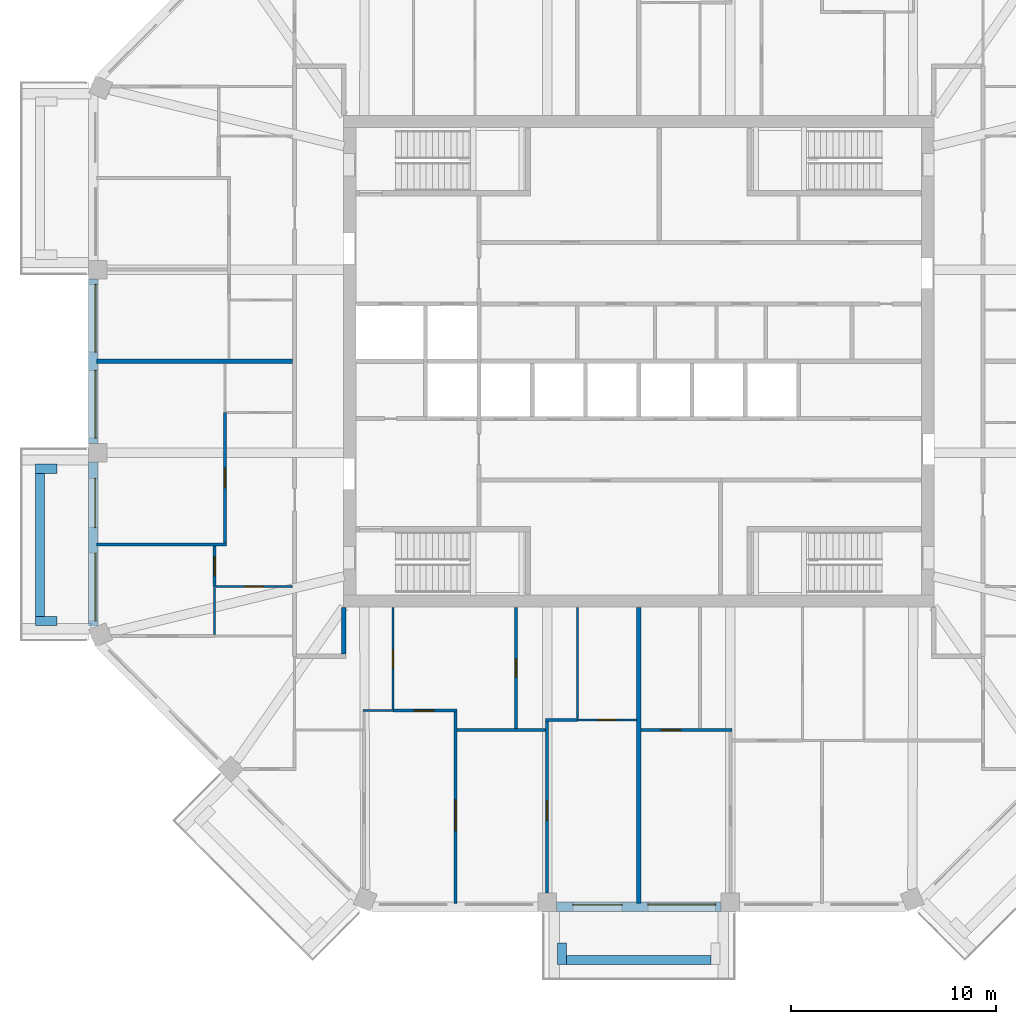
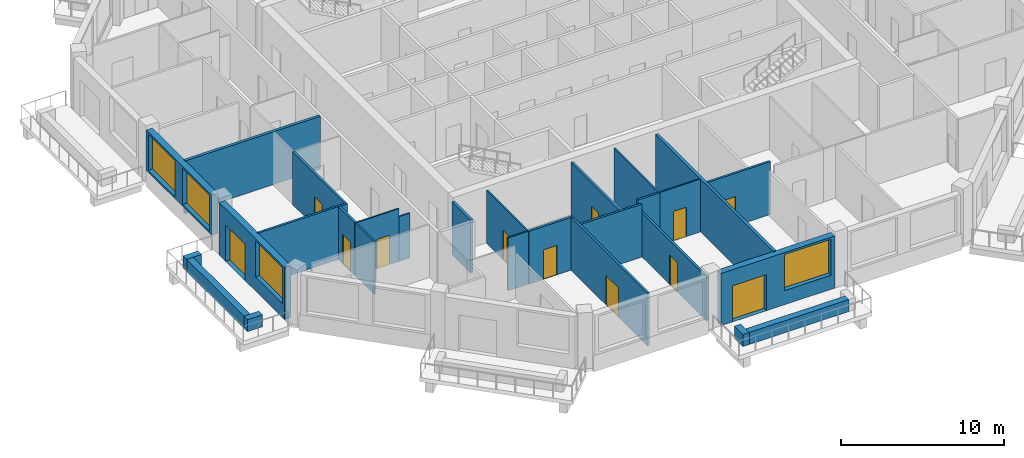
# One storey, part 3 of 12: 28 walls, 12 doors, 4 windows, 16 openings.
"""IFC4 building model written with IfcOpenShell, lengths in metres."""

from ifc_helpers import new_model, si_unit, direction, frame, frame_2d, origin, place, context, subcontext, project, spatial, rectangle, extrude, material, layer, layer_set, type_object, element, fill, save


model = new_model("IFC4")

# Units and contexts
model_context = context("Model", 3, precision=1e-05, world=origin(), true_north=direction((0.0, 1.0)))
body_context = subcontext(model_context, "Body", "Model", "MODEL_VIEW")
ifc_project = project(units=[si_unit("LENGTHUNIT", "METRE"), si_unit("AREAUNIT", "SQUARE_METRE"), si_unit("VOLUMEUNIT", "CUBIC_METRE"), si_unit("PLANEANGLEUNIT", "RADIAN"), si_unit("MASSUNIT", "GRAM", prefix="KILO")], contexts=[model_context])

# Site, building, storey
site_placement = place(None, origin())
site = spatial("IfcSite", under=ifc_project, at=site_placement, CompositionType="ELEMENT")
building_placement = place(site_placement, origin())
building = spatial("IfcBuilding", under=site, at=building_placement, Name="Msitu Wima Residences", CompositionType="ELEMENT")
storey_placement = place(building_placement, frame((0.0, 0.0, 276.89990234375)))
storey = spatial("IfcBuildingStorey", under=building, at=storey_placement, Name="L64", CompositionType="ELEMENT", Elevation=276.89990234375)

# Walls
ifc_material_1 = material(Name="Facing brick")
ifc_layer_1 = layer(ifc_material_1, 0.06494140625, Name="Facing brick")
ifc_material_2 = material(Name="Concrete C40/50", Category="concrete")
ifc_layer_2 = layer(ifc_material_2, 0.156005859375, Name="Concrete C40/50")
ifc_material_3 = material(Name="Waterproofing membrane")
ifc_layer_3 = layer(ifc_material_3, 0.00390625, Name="Waterproofing membrane")
ifc_material_4 = material(Name="Planting soil and planting")
ifc_layer_4 = layer(ifc_material_4, 0.22509765625, Name="Planting soil and planting")
ifc_layer_set_1 = layer_set([ifc_layer_1, ifc_layer_2, ifc_layer_3, ifc_layer_4], Name="Concrete C40/50")
wall_type_1 = type_object("IfcWallType", Name="Balcony planter PLANTER PL450", PredefinedType="USERDEFINED", material=ifc_layer_set_1)
wall_1_placement = place(storey_placement, frame((-29.22509765625, -5.468505859375, 0.0), z_axis=(0.0, 0.0, 1.0), x_axis=(0.0, -1.0, 0.0)))
element("IfcWall", 1, at=wall_1_placement, inside=storey, type_object=wall_type_1, Name="Balcony planter W2 L64", ObjectType="PLANTER", PredefinedType="USERDEFINED", context=body_context, shape_type="SweptSolid", body=[
    extrude(rectangle(XDim=6.9873046875, YDim=0.449951171875, at=frame_2d((3.49365234375, 0.0))), origin(), (0.0, 0.0, 1.0), 0.900146484375),
])
for number, where, z_axis, x_axis, name in (
    (2, (-28.39990234375, -5.24365234375, 0.0), (0.0, 0.0, 1.0), (-1.0, 0.0, 0.0), "Balcony planter W2 L64"),
    (3, (-28.39990234375, -12.680908203125, 0.0), (0.0, 0.0, 1.0), (-1.0, 0.0, 0.0), "Balcony planter W2 L64"),
):
    element("IfcWall", number, at=place(storey_placement, frame(where, z_axis=z_axis, x_axis=x_axis)), inside=storey, type_object=wall_type_1, Name=name, ObjectType="PLANTER", PredefinedType="USERDEFINED", context=body_context, shape_type="SweptSolid", body=[
        extrude(rectangle(XDim=1.050048828125, YDim=0.449951171875, at=frame_2d((0.52490234375, 0.0))), origin(), (0.0, 0.0, 1.0), 0.900146484375),
    ])
wall_2_placement = place(storey_placement, frame((-3.5185546875, -29.22509765625, 0.0), z_axis=(0.0, 0.0, 1.0), x_axis=(1.0, 0.0, 0.0)))
element("IfcWall", 4, at=wall_2_placement, inside=storey, type_object=wall_type_1, Name="Balcony planter S1 L64", ObjectType="PLANTER", PredefinedType="USERDEFINED", context=body_context, shape_type="SweptSolid", body=[
    extrude(rectangle(XDim=7.037109375, YDim=0.449951171875, at=frame_2d((3.5185546875, 0.0))), origin(), (0.0, 0.0, 1.0), 0.900146484375),
])
wall_3_placement = place(storey_placement, frame((-3.74365234375, -28.39990234375, 0.0), z_axis=(0.0, 0.0, 1.0), x_axis=(0.0, -1.0, 0.0)))
element("IfcWall", 5, at=wall_3_placement, inside=storey, type_object=wall_type_1, Name="Balcony planter S1 L64", ObjectType="PLANTER", PredefinedType="USERDEFINED", context=body_context, shape_type="SweptSolid", body=[
    extrude(rectangle(XDim=1.050048828125, YDim=0.449951171875, at=frame_2d((0.52490234375, 0.0))), origin(), (0.0, 0.0, 1.0), 0.900146484375),
])

# Wall, openings, windows
ifc_material_5 = material(Name="Brick (red buff mix)", Category="masonry")
ifc_layer_5 = layer(ifc_material_5, 0.449951171875)
ifc_layer_set_2 = layer_set([ifc_layer_5], Name="Brick (red buff mix)")
wall_type_2 = type_object("IfcWallType", Name="Brick infill wall BW450", PredefinedType="SOLIDWALL", material=ifc_layer_set_2)
wall_4_placement = place(storey_placement, frame((-26.625, 4.0185546875, 0.900146484375), z_axis=(0.0, 0.0, 1.0), x_axis=(0.0, -1.0, 0.0)))
wall_4 = element("IfcWall", 6, at=wall_4_placement, inside=storey, type_object=wall_type_2, Name="Brick infill wall L64 W1", PredefinedType="SOLIDWALL", context=body_context, shape_type="SweptSolid", body=[
    extrude(rectangle(XDim=8.037109375, YDim=0.449951171875, at=frame_2d((4.0185546875, 0.0))), origin(), (0.0, 0.0, 1.0), 3.0),
])
opening_1_placement = place(wall_4_placement, frame((0.2685546875, 0.0, 0.14990234375)))
opening_1 = element("IfcOpeningElement", 7, at=opening_1_placement, cuts=wall_4, Name="Opening W63-64.028", PredefinedType="OPENING", context=body_context, shape_type="SweptSolid", body=[
    extrude(rectangle(XDim=3.300048828125, YDim=2.699951171875, at=frame_2d((1.64990234375, 1.35009765625))), frame((0.0, 0.23486328125, 0.0), z_axis=(0.0, -1.0, 0.0), x_axis=(1.0, 0.0, 0.0)), (0.0, 0.0, 1.0), 0.469970703125),
])
opening_2_placement = place(wall_4_placement, frame((4.46875, 0.0, 0.14990234375)))
opening_2 = element("IfcOpeningElement", 8, at=opening_2_placement, cuts=wall_4, Name="Opening W63-64.029", PredefinedType="OPENING", context=body_context, shape_type="SweptSolid", body=[
    extrude(rectangle(XDim=3.300048828125, YDim=2.699951171875, at=frame_2d((1.64990234375, 1.35009765625))), frame((0.0, 0.23486328125, 0.0), z_axis=(0.0, -1.0, 0.0), x_axis=(1.0, 0.0, 0.0)), (0.0, 0.0, 1.0), 0.469970703125),
])
ifc_material_6 = material(Name="Anodised aluminium, bronze finish, clear low-emissivity double glazing", Category="aluminium")
window_type = type_object("IfcWindowType", Name="Window W3300x2700", PartitioningType="DOUBLE_PANEL_VERTICAL", PredefinedType="WINDOW", material=ifc_material_6)
window_1_placement = place(opening_1_placement, origin())
window_1 = element("IfcWindow", 9, at=window_1_placement, inside=storey, type_object=window_type, Name="Window L64 W1.1", OverallHeight=2.699951171875, OverallWidth=3.300048828125, PartitioningType="SINGLE_PANEL", PredefinedType="WINDOW", context=body_context, shape_type="SweptSolid", body=[
    extrude(rectangle(XDim=3.300048828125, YDim=2.699951171875, at=frame_2d((1.64990234375, 1.35009765625))), frame((0.0, 0.135009765625, 0.0), z_axis=(0.0, -1.0, 0.0), x_axis=(1.0, 0.0, 0.0)), (0.0, 0.0, 1.0), 0.06005859375),
])
fill(opening_1, window_1)
window_2_placement = place(opening_2_placement, origin())
window_2 = element("IfcWindow", 10, at=window_2_placement, inside=storey, type_object=window_type, Name="Window L64 W1.2", OverallHeight=2.699951171875, OverallWidth=3.300048828125, PartitioningType="SINGLE_PANEL", PredefinedType="WINDOW", context=body_context, shape_type="SweptSolid", body=[
    extrude(rectangle(XDim=3.300048828125, YDim=2.699951171875, at=frame_2d((1.64990234375, 1.35009765625))), frame((0.0, 0.135009765625, 0.0), z_axis=(0.0, -1.0, 0.0), x_axis=(1.0, 0.0, 0.0)), (0.0, 0.0, 1.0), 0.06005859375),
])
fill(opening_2, window_2)

# Wall, openings, door, window
wall_5_placement = place(storey_placement, frame((-26.625, -4.918701171875, 0.0), z_axis=(0.0, 0.0, 1.0), x_axis=(0.0, -1.0, 0.0)))
wall_5 = element("IfcWall", 11, at=wall_5_placement, inside=storey, type_object=wall_type_2, Name="Brick infill wall L64 W2", PredefinedType="SOLIDWALL", context=body_context, shape_type="SweptSolid", body=[
    extrude(rectangle(XDim=8.0, YDim=0.449951171875, at=frame_2d((4.0, 0.0))), origin(), (0.0, 0.0, 1.0), 3.900146484375),
])
opening_3_placement = place(wall_5_placement, frame((0.800048828125, 0.0, 0.0)))
opening_3 = element("IfcOpeningElement", 12, at=opening_3_placement, cuts=wall_5, Name="Opening D63-64.010", PredefinedType="OPENING", context=body_context, shape_type="SweptSolid", body=[
    extrude(rectangle(XDim=2.39990234375, YDim=2.699951171875, at=frame_2d((1.199951171875, 1.35009765625))), frame((0.0, 0.23486328125, 0.0), z_axis=(0.0, -1.0, 0.0), x_axis=(1.0, 0.0, 0.0)), (0.0, 0.0, 1.0), 0.469970703125),
])
opening_4_placement = place(wall_5_placement, frame((4.4501953125, 0.0, 1.050048828125)))
opening_4 = element("IfcOpeningElement", 13, at=opening_4_placement, cuts=wall_5, Name="Opening W63-64.030", PredefinedType="OPENING", context=body_context, shape_type="SweptSolid", body=[
    extrude(rectangle(XDim=3.300048828125, YDim=2.699951171875, at=frame_2d((1.64990234375, 1.35009765625))), frame((0.0, 0.23486328125, 0.0), z_axis=(0.0, -1.0, 0.0), x_axis=(1.0, 0.0, 0.0)), (0.0, 0.0, 1.0), 0.469970703125),
])
door_type_1 = type_object("IfcDoorType", Name="Balcony door D2400x2700", OperationType="SLIDING_TO_LEFT", PredefinedType="DOOR", material=ifc_material_6)
door_1_placement = place(opening_3_placement, origin())
door_1 = element("IfcDoor", 14, at=door_1_placement, inside=storey, type_object=door_type_1, Name="Balcony door L64 W2", OperationType="SINGLE_SWING_LEFT", OverallHeight=2.699951171875, OverallWidth=2.39990234375, PredefinedType="DOOR", context=body_context, shape_type="SweptSolid", body=[
    extrude(rectangle(XDim=2.39990234375, YDim=2.699951171875, at=frame_2d((1.199951171875, 1.35009765625))), frame((0.0, 0.1298828125, 0.0), z_axis=(0.0, -1.0, 0.0), x_axis=(1.0, 0.0, 0.0)), (0.0, 0.0, 1.0), 0.050048828125),
])
fill(opening_3, door_1)
window_3_placement = place(opening_4_placement, origin())
window_3 = element("IfcWindow", 15, at=window_3_placement, inside=storey, type_object=window_type, Name="Window L64 W2.2", OverallHeight=2.699951171875, OverallWidth=3.300048828125, PartitioningType="SINGLE_PANEL", PredefinedType="WINDOW", context=body_context, shape_type="SweptSolid", body=[
    extrude(rectangle(XDim=3.300048828125, YDim=2.699951171875, at=frame_2d((1.64990234375, 1.35009765625))), frame((0.0, 0.135009765625, 0.0), z_axis=(0.0, -1.0, 0.0), x_axis=(1.0, 0.0, 0.0)), (0.0, 0.0, 1.0), 0.06005859375),
])
fill(opening_4, window_3)

wall_6_placement = place(storey_placement, frame((-4.0185546875, -26.625, 0.0), z_axis=(0.0, 0.0, 1.0), x_axis=(1.0, 0.0, 0.0)))
wall_6 = element("IfcWall", 16, at=wall_6_placement, inside=storey, type_object=wall_type_2, Name="Brick infill wall L64 S1", PredefinedType="SOLIDWALL", context=body_context, shape_type="SweptSolid", body=[
    extrude(rectangle(XDim=8.037109375, YDim=0.449951171875, at=frame_2d((4.0185546875, 0.0))), origin(), (0.0, 0.0, 1.0), 3.900146484375),
])
opening_5_placement = place(wall_6_placement, frame((0.809326171875, 0.0, 0.0)))
opening_5 = element("IfcOpeningElement", 17, at=opening_5_placement, cuts=wall_6, Name="Opening D63-64.006", PredefinedType="OPENING", context=body_context, shape_type="SweptSolid", body=[
    extrude(rectangle(XDim=2.39990234375, YDim=2.699951171875, at=frame_2d((1.199951171875, 1.35009765625))), frame((0.0, 0.23486328125, 0.0), z_axis=(0.0, -1.0, 0.0), x_axis=(1.0, 0.0, 0.0)), (0.0, 0.0, 1.0), 0.469970703125),
])
opening_6_placement = place(wall_6_placement, frame((4.46875, 0.0, 1.050048828125)))
opening_6 = element("IfcOpeningElement", 18, at=opening_6_placement, cuts=wall_6, Name="Opening W63-64.018", PredefinedType="OPENING", context=body_context, shape_type="SweptSolid", body=[
    extrude(rectangle(XDim=3.300048828125, YDim=2.699951171875, at=frame_2d((1.64990234375, 1.35009765625))), frame((0.0, 0.23486328125, 0.0), z_axis=(0.0, -1.0, 0.0), x_axis=(1.0, 0.0, 0.0)), (0.0, 0.0, 1.0), 0.469970703125),
])
door_2_placement = place(opening_5_placement, origin())
door_2 = element("IfcDoor", 19, at=door_2_placement, inside=storey, type_object=door_type_1, Name="Balcony door L64 S1", OperationType="SINGLE_SWING_LEFT", OverallHeight=2.699951171875, OverallWidth=2.39990234375, PredefinedType="DOOR", context=body_context, shape_type="SweptSolid", body=[
    extrude(rectangle(XDim=2.39990234375, YDim=2.699951171875, at=frame_2d((1.199951171875, 1.35009765625))), frame((0.0, 0.1298828125, 0.0), z_axis=(0.0, -1.0, 0.0), x_axis=(1.0, 0.0, 0.0)), (0.0, 0.0, 1.0), 0.050048828125),
])
fill(opening_5, door_2)
window_4_placement = place(opening_6_placement, origin())
window_4 = element("IfcWindow", 20, at=window_4_placement, inside=storey, type_object=window_type, Name="Window L64 S1.2", OverallHeight=2.699951171875, OverallWidth=3.300048828125, PartitioningType="SINGLE_PANEL", PredefinedType="WINDOW", context=body_context, shape_type="SweptSolid", body=[
    extrude(rectangle(XDim=3.300048828125, YDim=2.699951171875, at=frame_2d((1.64990234375, 1.35009765625))), frame((0.0, 0.135009765625, 0.0), z_axis=(0.0, -1.0, 0.0), x_axis=(1.0, 0.0, 0.0)), (0.0, 0.0, 1.0), 0.06005859375),
])
fill(opening_6, window_4)

# Walls
ifc_material_7 = material(Name="Plaster")
ifc_layer_6 = layer(ifc_material_7, 0.011962890625, Name="Plaster")
ifc_material_8 = material(Name="Concrete blockwork", Category="masonry")
ifc_layer_7 = layer(ifc_material_8, 0.176025390625, Name="Concrete blockwork")
ifc_layer_8 = layer(ifc_material_7, 0.011962890625, Name="Plaster")
ifc_layer_set_3 = layer_set([ifc_layer_6, ifc_layer_7, ifc_layer_8], Name="Concrete blockwork")
wall_type_3 = type_object("IfcWallType", Name="Corridor wall FW200", PredefinedType="PARTITIONING", material=ifc_layer_set_3)
wall_7_placement = place(storey_placement, frame((-14.39990234375, -14.300048828125, 0.0), z_axis=(0.0, 0.0, 1.0), x_axis=(0.0, 1.0, 0.0)))
element("IfcWall", 21, at=wall_7_placement, inside=storey, type_object=wall_type_3, Name="Corridor wall", PredefinedType="PARTITIONING", context=body_context, shape_type="SweptSolid", body=[
    extrude(rectangle(XDim=2.27001953125, YDim=0.199951171875, at=frame_2d((1.135009765625, 0.0))), origin(), (0.0, 0.0, 1.0), 3.9501953125),
])
ifc_layer_9 = layer(ifc_material_7, 0.011962890625, Name="Plaster")
ifc_layer_10 = layer(ifc_material_8, 0.1259765625, Name="Concrete blockwork")
ifc_layer_11 = layer(ifc_material_7, 0.011962890625, Name="Plaster")
ifc_layer_set_4 = layer_set([ifc_layer_9, ifc_layer_10, ifc_layer_11], Name="Concrete blockwork")
wall_type_4 = type_object("IfcWallType", Name="Partition PW150", PredefinedType="PARTITIONING", material=ifc_layer_set_4)
wall_8_placement = place(storey_placement, frame((-26.455078125, -8.937255859375, 0.0), z_axis=(0.0, 0.0, 1.0), x_axis=(1.0, 0.0, 0.0)))
element("IfcWall", 22, at=wall_8_placement, inside=storey, type_object=wall_type_4, Name="Partition", PredefinedType="PARTITIONING", context=body_context, shape_type="SweptSolid", body=[
    extrude(rectangle(XDim=6.330078125, YDim=0.14990234375, at=frame_2d((3.1650390625, 0.0))), origin(), (0.0, 0.0, 1.0), 3.9501953125),
])

# Wall, opening, door
wall_9_placement = place(storey_placement, frame((-20.699951171875, -10.97998046875, 0.0), z_axis=(0.0, 0.0, 1.0), x_axis=(0.0, 1.0, 0.0)))
wall_9 = element("IfcWall", 23, at=wall_9_placement, inside=storey, type_object=wall_type_4, Name="Partition", PredefinedType="PARTITIONING", context=body_context, shape_type="SweptSolid", body=[
    extrude(rectangle(XDim=1.9677734375, YDim=0.14990234375, at=frame_2d((0.98388671875, 0.0))), origin(), (0.0, 0.0, 1.0), 3.9501953125),
])
opening_7_placement = place(wall_9_placement, frame((0.5, 0.0, 0.0)))
opening_7 = element("IfcOpeningElement", 24, at=opening_7_placement, cuts=wall_9, Name="Opening D63-64.047", PredefinedType="OPENING", context=body_context, shape_type="SweptSolid", body=[
    extrude(rectangle(XDim=0.949951171875, YDim=2.199951171875, at=frame_2d((0.47509765625, 1.10009765625))), frame((0.0, 0.0849609375, 0.0), z_axis=(0.0, -1.0, 0.0), x_axis=(1.0, 0.0, 0.0)), (0.0, 0.0, 1.0), 0.169921875),
])
ifc_material_9 = material(Name="Timber flush door", Category="wood")
door_type_2 = type_object("IfcDoorType", Name="Room door D12 950x2200", OperationType="SINGLE_SWING_LEFT", PredefinedType="DOOR", material=ifc_material_9)
door_3_placement = place(opening_7_placement, origin())
door_3 = element("IfcDoor", 25, at=door_3_placement, inside=storey, type_object=door_type_2, Name="Room door", OperationType="SINGLE_SWING_RIGHT", OverallHeight=2.199951171875, OverallWidth=0.949951171875, PredefinedType="DOOR", context=body_context, shape_type="SweptSolid", body=[
    extrude(rectangle(XDim=0.949951171875, YDim=2.199951171875, at=frame_2d((0.47509765625, 1.10009765625))), frame((0.0, 0.02490234375, 0.0), z_axis=(0.0, -1.0, 0.0), x_axis=(1.0, 0.0, 0.0)), (0.0, 0.0, 1.0), 0.050048828125),
])
fill(opening_7, door_3)

wall_10_placement = place(storey_placement, frame((-20.199951171875, -8.8623046875, 0.0), z_axis=(0.0, 0.0, 1.0), x_axis=(0.0, 1.0, 0.0)))
wall_10 = element("IfcWall", 26, at=wall_10_placement, inside=storey, type_object=wall_type_4, Name="Partition", PredefinedType="PARTITIONING", context=body_context, shape_type="SweptSolid", body=[
    extrude(rectangle(XDim=6.3623046875, YDim=0.14990234375, at=frame_2d((3.18115234375, 0.0))), origin(), (0.0, 0.0, 1.0), 3.9501953125),
])
opening_8_placement = place(wall_10_placement, frame((2.699951171875, 0.0, 0.0)))
opening_8 = element("IfcOpeningElement", 27, at=opening_8_placement, cuts=wall_10, Name="Opening D63-64.046", PredefinedType="OPENING", context=body_context, shape_type="SweptSolid", body=[
    extrude(rectangle(XDim=0.949951171875, YDim=2.199951171875, at=frame_2d((0.47509765625, 1.10009765625))), frame((0.0, 0.0849609375, 0.0), z_axis=(0.0, -1.0, 0.0), x_axis=(1.0, 0.0, 0.0)), (0.0, 0.0, 1.0), 0.169921875),
])
door_4_placement = place(opening_8_placement, origin())
door_4 = element("IfcDoor", 28, at=door_4_placement, inside=storey, type_object=door_type_2, Name="Room door", OperationType="SINGLE_SWING_LEFT", OverallHeight=2.199951171875, OverallWidth=0.949951171875, PredefinedType="DOOR", context=body_context, shape_type="SweptSolid", body=[
    extrude(rectangle(XDim=0.949951171875, YDim=2.199951171875, at=frame_2d((0.47509765625, 1.10009765625))), frame((0.0, 0.02490234375, 0.0), z_axis=(0.0, -1.0, 0.0), x_axis=(1.0, 0.0, 0.0)), (0.0, 0.0, 1.0), 0.050048828125),
])
fill(opening_8, door_4)

wall_11_placement = place(storey_placement, frame((-12.0, -17.050048828125, 0.0), z_axis=(0.0, 0.0, 1.0), x_axis=(1.0, 0.0, 0.0)))
wall_11 = element("IfcWall", 29, at=wall_11_placement, inside=storey, type_object=wall_type_4, Name="Partition", PredefinedType="PARTITIONING", context=body_context, shape_type="SweptSolid", body=[
    extrude(rectangle(XDim=3.1376953125, YDim=0.14990234375, at=frame_2d((1.56884765625, 0.0))), origin(), (0.0, 0.0, 1.0), 3.9501953125),
])
opening_9_placement = place(wall_11_placement, frame((1.050048828125, 0.0, 0.0)))
opening_9 = element("IfcOpeningElement", 30, at=opening_9_placement, cuts=wall_11, Name="Opening D63-64.051", PredefinedType="OPENING", context=body_context, shape_type="SweptSolid", body=[
    extrude(rectangle(XDim=0.949951171875, YDim=2.199951171875, at=frame_2d((0.47509765625, 1.10009765625))), frame((0.0, 0.0849609375, 0.0), z_axis=(0.0, -1.0, 0.0), x_axis=(1.0, 0.0, 0.0)), (0.0, 0.0, 1.0), 0.169921875),
])
door_5_placement = place(opening_9_placement, origin())
door_5 = element("IfcDoor", 31, at=door_5_placement, inside=storey, type_object=door_type_2, Name="Room door", OperationType="SINGLE_SWING_LEFT", OverallHeight=2.199951171875, OverallWidth=0.949951171875, PredefinedType="DOOR", context=body_context, shape_type="SweptSolid", body=[
    extrude(rectangle(XDim=0.949951171875, YDim=2.199951171875, at=frame_2d((0.47509765625, 1.10009765625))), frame((0.0, 0.02490234375, 0.0), z_axis=(0.0, -1.0, 0.0), x_axis=(1.0, 0.0, 0.0)), (0.0, 0.0, 1.0), 0.050048828125),
])
fill(opening_9, door_5)

wall_12_placement = place(storey_placement, frame((-8.937255859375, -26.455078125, 0.0), z_axis=(0.0, 0.0, 1.0), x_axis=(0.0, 1.0, 0.0)))
wall_12 = element("IfcWall", 32, at=wall_12_placement, inside=storey, type_object=wall_type_4, Name="Partition", PredefinedType="PARTITIONING", context=body_context, shape_type="SweptSolid", body=[
    extrude(rectangle(XDim=9.330078125, YDim=0.14990234375, at=frame_2d((4.6650390625, 0.0))), origin(), (0.0, 0.0, 1.0), 3.9501953125),
])
opening_10_placement = place(wall_12_placement, frame((3.550048828125, 0.0, 0.0)))
opening_10 = element("IfcOpeningElement", 33, at=opening_10_placement, cuts=wall_12, Name="Opening D63-64.041", PredefinedType="OPENING", context=body_context, shape_type="SweptSolid", body=[
    extrude(rectangle(XDim=1.5, YDim=2.199951171875, at=frame_2d((0.75, 1.10009765625))), frame((0.0, 0.0849609375, 0.0), z_axis=(0.0, -1.0, 0.0), x_axis=(1.0, 0.0, 0.0)), (0.0, 0.0, 1.0), 0.169921875),
])
ifc_material_10 = material(Name="Timber double door", Category="wood")
door_type_3 = type_object("IfcDoorType", Name="Double door D04 1500x2200", OperationType="DOUBLE_DOOR_SINGLE_SWING", PredefinedType="DOOR", material=ifc_material_10)
door_6_placement = place(opening_10_placement, origin())
door_6 = element("IfcDoor", 34, at=door_6_placement, inside=storey, type_object=door_type_3, Name="Double door", OperationType="DOUBLE_DOOR_SINGLE_SWING", OverallHeight=2.199951171875, OverallWidth=1.5, PredefinedType="DOOR", context=body_context, shape_type="SweptSolid", body=[
    extrude(rectangle(XDim=1.5, YDim=2.199951171875, at=frame_2d((0.75, 1.10009765625))), frame((0.0, 0.02490234375, 0.0), z_axis=(0.0, -1.0, 0.0), x_axis=(1.0, 0.0, 0.0)), (0.0, 0.0, 1.0), 0.050048828125),
])
fill(opening_10, door_6)

# Wall
wall_13_placement = place(storey_placement, frame((-8.8623046875, -18.0, 0.0), z_axis=(0.0, 0.0, 1.0), x_axis=(1.0, 0.0, 0.0)))
element("IfcWall", 35, at=wall_13_placement, inside=storey, type_object=wall_type_4, Name="Partition", PredefinedType="PARTITIONING", context=body_context, shape_type="SweptSolid", body=[
    extrude(rectangle(XDim=4.318603515625, YDim=0.14990234375, at=frame_2d((2.1591796875, 0.0))), origin(), (0.0, 0.0, 1.0), 3.9501953125),
])

# Wall, opening, door
wall_14_placement = place(storey_placement, frame((-6.0, -17.925048828125, 0.0), z_axis=(0.0, 0.0, 1.0), x_axis=(0.0, 1.0, 0.0)))
wall_14 = element("IfcWall", 36, at=wall_14_placement, inside=storey, type_object=wall_type_4, Name="Partition", PredefinedType="PARTITIONING", context=body_context, shape_type="SweptSolid", body=[
    extrude(rectangle(XDim=5.89501953125, YDim=0.14990234375, at=frame_2d((2.947509765625, 0.0))), origin(), (0.0, 0.0, 1.0), 3.9501953125),
])
opening_11_placement = place(wall_14_placement, frame((2.5, 0.0, 0.0)))
opening_11 = element("IfcOpeningElement", 37, at=opening_11_placement, cuts=wall_14, Name="Opening D63-64.042", PredefinedType="OPENING", context=body_context, shape_type="SweptSolid", body=[
    extrude(rectangle(XDim=0.89990234375, YDim=2.199951171875, at=frame_2d((0.449951171875, 1.10009765625))), frame((0.0, 0.0849609375, 0.0), z_axis=(0.0, -1.0, 0.0), x_axis=(1.0, 0.0, 0.0)), (0.0, 0.0, 1.0), 0.169921875),
])
door_type_4 = type_object("IfcDoorType", Name="Service door D05 900x2200", OperationType="SINGLE_SWING_LEFT", PredefinedType="DOOR", material=ifc_material_9)
door_7_placement = place(opening_11_placement, origin())
door_7 = element("IfcDoor", 38, at=door_7_placement, inside=storey, type_object=door_type_4, Name="Service door", OperationType="SINGLE_SWING_RIGHT", OverallHeight=2.199951171875, OverallWidth=0.89990234375, PredefinedType="DOOR", context=body_context, shape_type="SweptSolid", body=[
    extrude(rectangle(XDim=0.89990234375, YDim=2.199951171875, at=frame_2d((0.449951171875, 1.10009765625))), frame((0.0, 0.02490234375, 0.0), z_axis=(0.0, -1.0, 0.0), x_axis=(1.0, 0.0, 0.0)), (0.0, 0.0, 1.0), 0.050048828125),
])
fill(opening_11, door_7)

wall_15_placement = place(storey_placement, frame((-4.46875, -25.949951171875, 0.0), z_axis=(0.0, 0.0, 1.0), x_axis=(0.0, 1.0, 0.0)))
wall_15 = element("IfcWall", 39, at=wall_15_placement, inside=storey, type_object=wall_type_4, Name="Partition", PredefinedType="PARTITIONING", context=body_context, shape_type="SweptSolid", body=[
    extrude(rectangle(XDim=8.375, YDim=0.14990234375, at=frame_2d((4.1875, 0.0))), origin(), (0.0, 0.0, 1.0), 3.300048828125),
])
opening_12_placement = place(wall_15_placement, frame((3.550048828125, 0.0, 0.0)))
opening_12 = element("IfcOpeningElement", 40, at=opening_12_placement, cuts=wall_15, Name="Opening D63-64.043", PredefinedType="OPENING", context=body_context, shape_type="SweptSolid", body=[
    extrude(rectangle(XDim=0.949951171875, YDim=2.199951171875, at=frame_2d((0.47509765625, 1.10009765625))), frame((0.0, 0.0849609375, 0.0), z_axis=(0.0, -1.0, 0.0), x_axis=(1.0, 0.0, 0.0)), (0.0, 0.0, 1.0), 0.169921875),
])
door_8_placement = place(opening_12_placement, origin())
door_8 = element("IfcDoor", 41, at=door_8_placement, inside=storey, type_object=door_type_2, Name="Room door", OperationType="SINGLE_SWING_RIGHT", OverallHeight=2.199951171875, OverallWidth=0.949951171875, PredefinedType="DOOR", context=body_context, shape_type="SweptSolid", body=[
    extrude(rectangle(XDim=0.949951171875, YDim=2.199951171875, at=frame_2d((0.47509765625, 1.10009765625))), frame((0.0, 0.02490234375, 0.0), z_axis=(0.0, -1.0, 0.0), x_axis=(1.0, 0.0, 0.0)), (0.0, 0.0, 1.0), 0.050048828125),
])
fill(opening_12, door_8)

# Wall
wall_16_placement = place(storey_placement, frame((-4.543701171875, -17.5, 0.0), z_axis=(0.0, 0.0, 1.0), x_axis=(1.0, 0.0, 0.0)))
element("IfcWall", 42, at=wall_16_placement, inside=storey, type_object=wall_type_4, Name="Partition", PredefinedType="PARTITIONING", context=body_context, shape_type="SweptSolid", body=[
    extrude(rectangle(XDim=1.543701171875, YDim=0.14990234375, at=frame_2d((0.77197265625, 0.0))), origin(), (0.0, 0.0, 1.0), 3.9501953125),
])

# Wall, opening, door
wall_17_placement = place(storey_placement, frame((0.10009765625, -18.0, 0.0), z_axis=(0.0, 0.0, 1.0), x_axis=(1.0, 0.0, 0.0)))
wall_17 = element("IfcWall", 43, at=wall_17_placement, inside=storey, type_object=wall_type_4, Name="Partition", PredefinedType="PARTITIONING", context=body_context, shape_type="SweptSolid", body=[
    extrude(rectangle(XDim=4.443603515625, YDim=0.14990234375, at=frame_2d((2.2216796875, 0.0))), origin(), (0.0, 0.0, 1.0), 3.9501953125),
])
opening_13_placement = place(wall_17_placement, frame((1.0, 0.0, 0.0)))
opening_13 = element("IfcOpeningElement", 44, at=opening_13_placement, cuts=wall_17, Name="Opening D63-64.058", PredefinedType="OPENING", context=body_context, shape_type="SweptSolid", body=[
    extrude(rectangle(XDim=0.949951171875, YDim=2.199951171875, at=frame_2d((0.47509765625, 1.10009765625))), frame((0.0, 0.0849609375, 0.0), z_axis=(0.0, -1.0, 0.0), x_axis=(1.0, 0.0, 0.0)), (0.0, 0.0, 1.0), 0.169921875),
])
door_9_placement = place(opening_13_placement, origin())
door_9 = element("IfcDoor", 45, at=door_9_placement, inside=storey, type_object=door_type_2, Name="Room door", OperationType="SINGLE_SWING_RIGHT", OverallHeight=2.199951171875, OverallWidth=0.949951171875, PredefinedType="DOOR", context=body_context, shape_type="SweptSolid", body=[
    extrude(rectangle(XDim=0.949951171875, YDim=2.199951171875, at=frame_2d((0.47509765625, 1.10009765625))), frame((0.0, 0.02490234375, 0.0), z_axis=(0.0, -1.0, 0.0), x_axis=(1.0, 0.0, 0.0)), (0.0, 0.0, 1.0), 0.050048828125),
])
fill(opening_13, door_9)

# Walls
ifc_layer_12 = layer(ifc_material_7, 0.011962890625, Name="Plaster")
ifc_material_11 = material(Name="Dense concrete blockwork", Category="masonry")
ifc_layer_13 = layer(ifc_material_11, 0.176025390625, Name="Dense concrete blockwork")
ifc_layer_14 = layer(ifc_material_7, 0.011962890625, Name="Plaster")
ifc_layer_set_5 = layer_set([ifc_layer_12, ifc_layer_13, ifc_layer_14], Name="Dense concrete blockwork")
wall_type_5 = type_object("IfcWallType", Name="Party wall PW200", PredefinedType="PARTITIONING", material=ifc_layer_set_5)
wall_18_placement = place(storey_placement, frame((-26.455078125, 0.0, 0.0), z_axis=(0.0, 0.0, 1.0), x_axis=(1.0, 0.0, 0.0)))
element("IfcWall", 46, at=wall_18_placement, inside=storey, type_object=wall_type_5, Name="Party wall", PredefinedType="PARTITIONING", context=body_context, shape_type="SweptSolid", body=[
    extrude(rectangle(XDim=9.55517578125, YDim=0.199951171875, at=frame_2d((4.777587890625, 0.0))), origin(), (0.0, 0.0, 1.0), 3.9501953125),
])
wall_19_placement = place(storey_placement, frame((0.0, -26.455078125, 0.0), z_axis=(0.0, 0.0, 1.0), x_axis=(0.0, 1.0, 0.0)))
element("IfcWall", 47, at=wall_19_placement, inside=storey, type_object=wall_type_5, Name="Party wall", PredefinedType="PARTITIONING", context=body_context, shape_type="SweptSolid", body=[
    extrude(rectangle(XDim=14.425048828125, YDim=0.199951171875, at=frame_2d((7.21240234375, 0.0))), origin(), (0.0, 0.0, 1.0), 3.9501953125),
])
ifc_material_12 = material(Name="Ceramic tiles")
ifc_layer_15 = layer(ifc_material_12, 0.008056640625, Name="Ceramic tiles")
ifc_material_13 = material(Name="Moisture-resistant board")
ifc_layer_16 = layer(ifc_material_13, 0.012451171875, Name="Moisture-resistant board")
ifc_material_14 = material(Name="Light-gauge stud framing with mineral wool")
ifc_layer_17 = layer(ifc_material_14, 0.06689453125, Name="Light-gauge stud framing with mineral wool")
ifc_layer_18 = layer(ifc_material_13, 0.012451171875, Name="Moisture-resistant board")
ifc_layer_set_6 = layer_set([ifc_layer_15, ifc_layer_16, ifc_layer_17, ifc_layer_18], Name="Light-gauge stud framing with mineral wool")
wall_type_6 = type_object("IfcWallType", Name="Wet wall PW100", PredefinedType="PARTITIONING", material=ifc_layer_set_6)
wall_20_placement = place(storey_placement, frame((-20.699951171875, -13.330810546875, 0.0), z_axis=(0.0, 0.0, 1.0), x_axis=(0.0, 1.0, 0.0)))
element("IfcWall", 48, at=wall_20_placement, inside=storey, type_object=wall_type_6, Name="Wet wall", PredefinedType="PARTITIONING", context=body_context, shape_type="SweptSolid", body=[
    extrude(rectangle(XDim=2.350830078125, YDim=0.10009765625, at=frame_2d((1.17529296875, 0.0))), origin(), (0.0, 0.0, 1.0), 3.9501953125),
])

# Wall, opening, door
wall_21_placement = place(storey_placement, frame((-20.625, -11.0, 0.0), z_axis=(0.0, 0.0, 1.0), x_axis=(1.0, 0.0, 0.0)))
wall_21 = element("IfcWall", 49, at=wall_21_placement, inside=storey, type_object=wall_type_6, Name="Wet wall", PredefinedType="PARTITIONING", context=body_context, shape_type="SweptSolid", body=[
    extrude(rectangle(XDim=2.97119140625, YDim=0.10009765625, at=frame_2d((1.485595703125, 0.0))), origin(), (0.0, 0.0, 1.0), 3.9501953125),
])
opening_14_placement = place(wall_21_placement, frame((1.39990234375, 0.0, 0.0)))
opening_14 = element("IfcOpeningElement", 50, at=opening_14_placement, cuts=wall_21, Name="Opening D63-64.045", PredefinedType="OPENING", context=body_context, shape_type="SweptSolid", body=[
    extrude(rectangle(XDim=0.89990234375, YDim=2.199951171875, at=frame_2d((0.449951171875, 1.10009765625))), frame((0.0, 0.06005859375, 0.0), z_axis=(0.0, -1.0, 0.0), x_axis=(1.0, 0.0, 0.0)), (0.0, 0.0, 1.0), 0.1201171875),
])
ifc_material_15 = material(Name="Timber flush door, moisture resistant", Category="wood")
door_type_5 = type_object("IfcDoorType", Name="Bathroom door D03 900x2200", OperationType="SINGLE_SWING_LEFT", PredefinedType="DOOR", material=ifc_material_15)
door_10_placement = place(opening_14_placement, origin())
door_10 = element("IfcDoor", 51, at=door_10_placement, inside=storey, type_object=door_type_5, Name="Bathroom door", OperationType="SINGLE_SWING_RIGHT", OverallHeight=2.199951171875, OverallWidth=0.89990234375, PredefinedType="DOOR", context=body_context, shape_type="SweptSolid", body=[
    extrude(rectangle(XDim=0.89990234375, YDim=2.199951171875, at=frame_2d((0.449951171875, 1.10009765625))), frame((0.0, 0.02490234375, 0.0), z_axis=(0.0, -1.0, 0.0), x_axis=(1.0, 0.0, 0.0)), (0.0, 0.0, 1.0), 0.050048828125),
])
fill(opening_14, door_10)

# Walls
wall_22_placement = place(storey_placement, frame((-17.65380859375, -11.0, 0.0), z_axis=(0.0, 0.0, 1.0), x_axis=(1.0, 0.0, 0.0)))
element("IfcWall", 52, at=wall_22_placement, inside=storey, type_object=wall_type_6, Name="Wet wall", PredefinedType="PARTITIONING", context=body_context, shape_type="SweptSolid", body=[
    extrude(rectangle(XDim=0.75390625, YDim=0.10009765625, at=frame_2d((0.376953125, 0.0))), origin(), (0.0, 0.0, 1.0), 3.35009765625),
])
wall_23_placement = place(storey_placement, frame((-13.455810546875, -17.050048828125, 0.0), z_axis=(0.0, 0.0, 1.0), x_axis=(1.0, 0.0, 0.0)))
element("IfcWall", 53, at=wall_23_placement, inside=storey, type_object=wall_type_6, Name="Wet wall", PredefinedType="PARTITIONING", context=body_context, shape_type="SweptSolid", body=[
    extrude(rectangle(XDim=1.455810546875, YDim=0.10009765625, at=frame_2d((0.72802734375, 0.0))), origin(), (0.0, 0.0, 1.0), 3.9501953125),
])

# Wall, opening, door
wall_24_placement = place(storey_placement, frame((-12.0, -16.97509765625, 0.0), z_axis=(0.0, 0.0, 1.0), x_axis=(0.0, 1.0, 0.0)))
wall_24 = element("IfcWall", 54, at=wall_24_placement, inside=storey, type_object=wall_type_6, Name="Wet wall", PredefinedType="PARTITIONING", context=body_context, shape_type="SweptSolid", body=[
    extrude(rectangle(XDim=4.945068359375, YDim=0.10009765625, at=frame_2d((2.47265625, 0.0))), origin(), (0.0, 0.0, 1.0), 3.9501953125),
])
opening_15_placement = place(wall_24_placement, frame((2.0, 0.0, 0.0)))
opening_15 = element("IfcOpeningElement", 55, at=opening_15_placement, cuts=wall_24, Name="Opening D63-64.052", PredefinedType="OPENING", context=body_context, shape_type="SweptSolid", body=[
    extrude(rectangle(XDim=0.89990234375, YDim=2.199951171875, at=frame_2d((0.449951171875, 1.10009765625))), frame((0.0, 0.06005859375, 0.0), z_axis=(0.0, -1.0, 0.0), x_axis=(1.0, 0.0, 0.0)), (0.0, 0.0, 1.0), 0.1201171875),
])
door_11_placement = place(opening_15_placement, origin())
door_11 = element("IfcDoor", 56, at=door_11_placement, inside=storey, type_object=door_type_4, Name="Service door", OperationType="SINGLE_SWING_RIGHT", OverallHeight=2.199951171875, OverallWidth=0.89990234375, PredefinedType="DOOR", context=body_context, shape_type="SweptSolid", body=[
    extrude(rectangle(XDim=0.89990234375, YDim=2.199951171875, at=frame_2d((0.449951171875, 1.10009765625))), frame((0.0, 0.02490234375, 0.0), z_axis=(0.0, -1.0, 0.0), x_axis=(1.0, 0.0, 0.0)), (0.0, 0.0, 1.0), 0.050048828125),
])
fill(opening_15, door_11)

# Wall
wall_25_placement = place(storey_placement, frame((-3.0, -17.425048828125, 0.0), z_axis=(0.0, 0.0, 1.0), x_axis=(0.0, 1.0, 0.0)))
element("IfcWall", 57, at=wall_25_placement, inside=storey, type_object=wall_type_6, Name="Wet wall", PredefinedType="PARTITIONING", context=body_context, shape_type="SweptSolid", body=[
    extrude(rectangle(XDim=5.39501953125, YDim=0.10009765625, at=frame_2d((2.697509765625, 0.0))), origin(), (0.0, 0.0, 1.0), 3.9501953125),
])

# Wall, opening, door
wall_26_placement = place(storey_placement, frame((-3.0, -17.5, 0.0), z_axis=(0.0, 0.0, 1.0), x_axis=(1.0, 0.0, 0.0)))
wall_26 = element("IfcWall", 58, at=wall_26_placement, inside=storey, type_object=wall_type_6, Name="Wet wall", PredefinedType="PARTITIONING", context=body_context, shape_type="SweptSolid", body=[
    extrude(rectangle(XDim=2.89990234375, YDim=0.10009765625, at=frame_2d((1.449951171875, 0.0))), origin(), (0.0, 0.0, 1.0), 3.9501953125),
])
opening_16_placement = place(wall_26_placement, frame((1.0, 0.0, 0.0)))
opening_16 = element("IfcOpeningElement", 59, at=opening_16_placement, cuts=wall_26, Name="Opening D63-64.044", PredefinedType="OPENING", context=body_context, shape_type="SweptSolid", body=[
    extrude(rectangle(XDim=0.89990234375, YDim=2.199951171875, at=frame_2d((0.449951171875, 1.10009765625))), frame((0.0, 0.06005859375, 0.0), z_axis=(0.0, -1.0, 0.0), x_axis=(1.0, 0.0, 0.0)), (0.0, 0.0, 1.0), 0.1201171875),
])
door_12_placement = place(opening_16_placement, origin())
door_12 = element("IfcDoor", 60, at=door_12_placement, inside=storey, type_object=door_type_5, Name="Bathroom door", OperationType="SINGLE_SWING_LEFT", OverallHeight=2.199951171875, OverallWidth=0.89990234375, PredefinedType="DOOR", context=body_context, shape_type="SweptSolid", body=[
    extrude(rectangle(XDim=0.89990234375, YDim=2.199951171875, at=frame_2d((0.449951171875, 1.10009765625))), frame((0.0, 0.02490234375, 0.0), z_axis=(0.0, -1.0, 0.0), x_axis=(1.0, 0.0, 0.0)), (0.0, 0.0, 1.0), 0.050048828125),
])
fill(opening_16, door_12)

save(model, "model.ifc")
